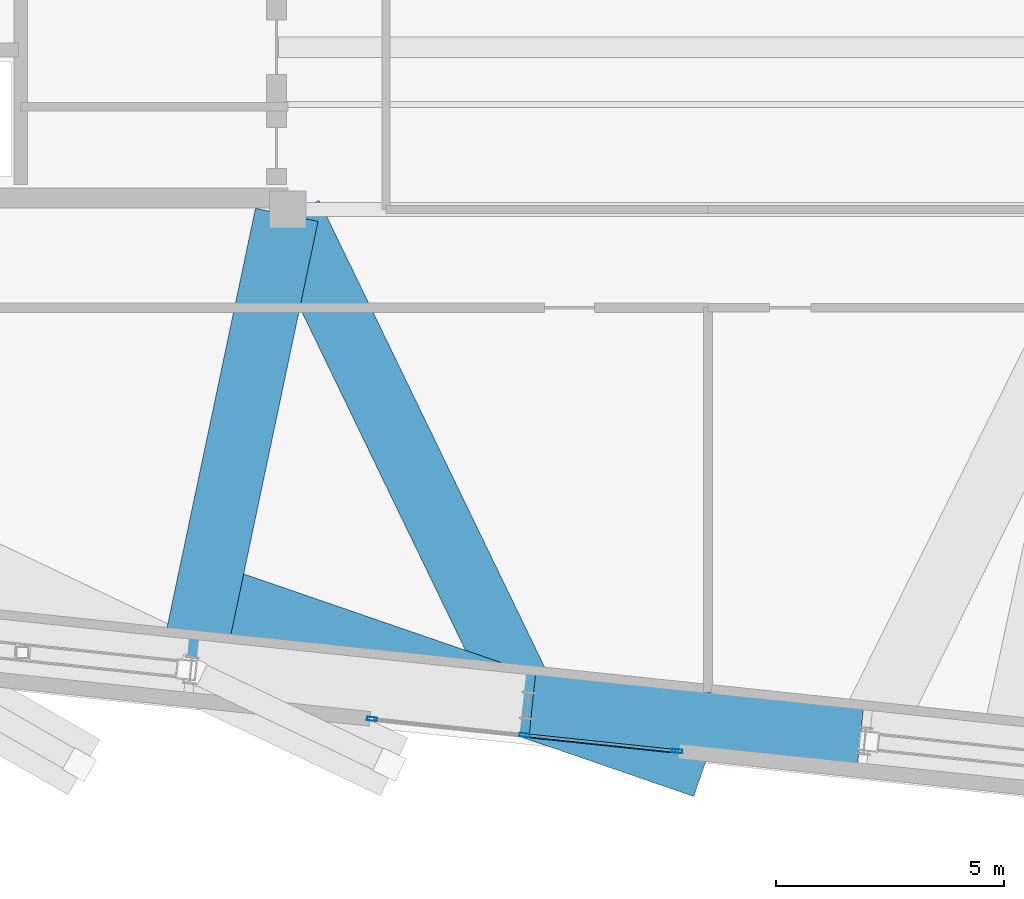
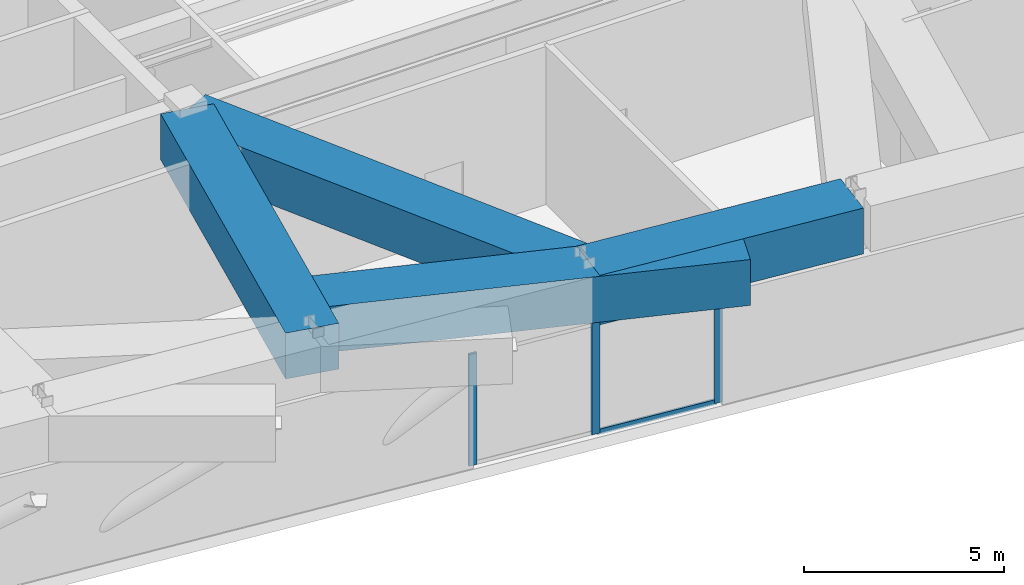
# One storey, part 5 of 21: 5 members, 4 beams, 1 element without a shape of its own.
"""IFC4 building model written with IfcOpenShell, lengths in metres."""

import ifcopenshell
import ifcopenshell.guid

model = None  # the IFC model being written
_history = None  # IfcOwnerHistory: only IFC2X3 demands one
_inside = {}  # id of a spatial element -> (the spatial element, [elements in it])
_under = {}  # id of a project, library or spatial element -> (it, [spatial elements below it])
_declared = {}  # id of a project -> (the project, [libraries it declares])
_typed = {}  # id of a type object -> (the type object, [elements of that type])
_made_of = {}  # id of a material, layer set ... -> (it, [elements and type objects made of it])


def new_model(schema):
    """Start an empty IFC model of exactly this schema.

    Asked for "IFC4X3", IfcOpenShell would pick the latest addendum, in which some entities
    have other attributes; the version numbers below select the first issue.
    IFC2X3 requires an IfcOwnerHistory on every rooted entity: one is made here for all.
    """
    global model, _history
    if schema == "IFC4X3":
        model = ifcopenshell.file(schema_version=(4, 3, 0, 0))
    else:
        model = ifcopenshell.file(schema=schema)
    _inside.clear()
    _under.clear()
    _declared.clear()
    _typed.clear()
    _made_of.clear()
    _history = None
    if model.schema == "IFC2X3":
        org = make("IfcOrganization", Name="unknown")
        user = make(
            "IfcPersonAndOrganization",
            ThePerson=make("IfcPerson", FamilyName="unknown"),
            TheOrganization=org,
        )
        app = make(
            "IfcApplication",
            ApplicationDeveloper=org,
            Version="unknown",
            ApplicationFullName="unknown",
            ApplicationIdentifier="unknown",
        )
        _history = make(
            "IfcOwnerHistory",
            OwningUser=user,
            OwningApplication=app,
            ChangeAction="ADDED",
            CreationDate=0,
        )
    return model


def make(cls, **values):
    """One entity of the class cls with the attributes given. An attribute that is None is left unset."""
    return model.create_entity(
        cls, **{name: value for name, value in values.items() if value is not None}
    )


def rooted(cls, **values):
    """An entity with a GlobalId (a new one), such as an element, a storey or a relation."""
    return make(cls, GlobalId=ifcopenshell.guid.new(), OwnerHistory=_history, **values)


def si_unit(unit_type, name, prefix=None):
    """IfcSIUnit, for example si_unit("LENGTHUNIT", "METRE", prefix="MILLI")."""
    return make("IfcSIUnit", UnitType=unit_type, Prefix=prefix, Name=name)


def assignment(units):
    """IfcUnitAssignment: the units of a project."""
    return None if units is None else make("IfcUnitAssignment", Units=units)


def point(xyz):
    """IfcCartesianPoint."""
    return None if xyz is None else make("IfcCartesianPoint", Coordinates=xyz)


def direction(xyz):
    """IfcDirection."""
    return None if xyz is None else make("IfcDirection", DirectionRatios=xyz)


def frame(location, z_axis=None, x_axis=None):
    """IfcAxis2Placement3D, a coordinate frame: its origin and axes. An axis left out is left unset."""
    return make(
        "IfcAxis2Placement3D",
        Location=point(location),
        Axis=direction(z_axis),
        RefDirection=direction(x_axis),
    )


def frame_2d(location, x_axis=None):
    """IfcAxis2Placement2D, a coordinate frame in the plane: its origin and x axis."""
    return make(
        "IfcAxis2Placement2D", Location=point(location), RefDirection=direction(x_axis)
    )


def origin():
    """The frame at (0, 0, 0) with its axes left unset."""
    return frame((0.0, 0.0, 0.0))


def origin_2d():
    """The frame at (0, 0) in the plane with its x axis left unset."""
    return frame_2d((0.0, 0.0))


def place(relative_to, where):
    """IfcLocalPlacement: puts the frame where relative to a parent placement (None: the world)."""
    return make(
        "IfcLocalPlacement", PlacementRelTo=relative_to, RelativePlacement=where
    )


def context(
    kind, dimensions, precision=None, world=None, true_north=None, identifier=None
):
    """IfcGeometricRepresentationContext, for example the 3D "Model" context."""
    return make(
        "IfcGeometricRepresentationContext",
        ContextIdentifier=identifier,
        ContextType=kind,
        CoordinateSpaceDimension=dimensions,
        Precision=precision,
        WorldCoordinateSystem=world,
        TrueNorth=true_north,
    )


def subcontext(parent, identifier, kind, view, scale=None):
    """IfcGeometricRepresentationSubContext, for example "Body" below "Model"."""
    return make(
        "IfcGeometricRepresentationSubContext",
        ContextIdentifier=identifier,
        ContextType=kind,
        ParentContext=parent,
        TargetScale=scale,
        TargetView=view,
    )


def project(units=None, contexts=None):
    """IfcProject with its units and contexts."""
    return rooted(
        "IfcProject",
        Name="project",
        RepresentationContexts=contexts,
        UnitsInContext=assignment(units),
    )


def spatial(cls, under=None, at=None, **own):
    """A site, building, storey or space (cls), placed at a placement, below another one or the project."""
    s = rooted(cls, ObjectPlacement=at, **own)
    if under is not None:
        _under.setdefault(under.id(), (under, []))[1].append(s)
    return s


def profile(cls, at=None, kind="AREA", **sizes):
    """A parametric profile (cls). Its sizes go by their IFC names, for example OverallWidth=200.0."""
    return make(cls, ProfileType=kind, Position=at, **sizes)


def rectangle(**sizes):
    """IfcRectangleProfileDef."""
    return profile("IfcRectangleProfileDef", **sizes)


def hollow_rectangle(**sizes):
    """IfcRectangleHollowProfileDef."""
    return profile("IfcRectangleHollowProfileDef", **sizes)


def extrude(swept, where, along, depth):
    """IfcExtrudedAreaSolid: the profile swept, set in the frame where, extruded along a direction by depth."""
    return make(
        "IfcExtrudedAreaSolid",
        SweptArea=swept,
        Position=where,
        ExtrudedDirection=direction(along),
        Depth=depth,
    )


def shape(context_of_items, identifier, shape_type, items):
    """IfcShapeRepresentation: the items that make up one representation, for example the "Body"."""
    return make(
        "IfcShapeRepresentation",
        ContextOfItems=context_of_items,
        RepresentationIdentifier=identifier,
        RepresentationType=shape_type,
        Items=items,
    )


def material(Name=None, Category=None):
    """IfcMaterial."""
    return make("IfcMaterial", Name=Name, Category=Category)


def layer(
    of_material, thickness, ventilated=None, Name=None, Category=None, Priority=None
):
    """IfcMaterialLayer: one layer of a wall or slab, of a material (None: an air gap)."""
    return make(
        "IfcMaterialLayer",
        Material=of_material,
        LayerThickness=thickness,
        IsVentilated=ventilated,
        Name=Name,
        Category=Category,
        Priority=Priority,
    )


def layer_set(layers, Name=None):
    """IfcMaterialLayerSet."""
    return make("IfcMaterialLayerSet", MaterialLayers=layers, LayerSetName=Name)


def material_profile(
    of_material, cross_section, Name=None, Category=None, Priority=None
):
    """IfcMaterialProfile: a cross section and its material."""
    return make(
        "IfcMaterialProfile",
        Name=Name,
        Material=of_material,
        Profile=cross_section,
        Priority=Priority,
        Category=Category,
    )


def profile_set(profiles, Name=None, composite=None):
    """IfcMaterialProfileSet."""
    return make(
        "IfcMaterialProfileSet",
        Name=Name,
        MaterialProfiles=profiles,
        CompositeProfile=composite,
    )


def made_of(thing, what):
    """Note that an element or type object is made of a material, layer set ...; save() writes the relation."""
    if what is not None:
        _made_of.setdefault(what.id(), (what, []))[1].append(thing)
    return thing


def type_object(cls, material=None, **own):
    """A type object (cls), such as IfcWallType, which elements share."""
    return made_of(rooted(cls, **own), material)


def element(
    cls,
    number,
    at=None,
    inside=None,
    cuts=None,
    type_object=None,
    material=None,
    context=None,
    identifier="Body",
    shape_type=None,
    held_by="IfcProductDefinitionShape",
    body=None,
    shapes=None,
    **own,
):
    """One element of the class cls, such as IfcWall. Its Tag is "e" and its number.

    at: its placement. inside: the storey or other place that contains it. cuts: it is an
    opening in that element (IfcRelVoidsElement). A single representation is given by context,
    identifier, shape_type and body (its items); several are given by shapes. held_by: the class
    of the entity that holds the representations. save() writes the other relations.
    """
    e = rooted(cls, Tag="e%d" % number, ObjectPlacement=at, **own)
    if body is not None:
        shapes = [shape(context, identifier, shape_type, body)]
    if shapes is not None:
        e.Representation = make(held_by, Representations=shapes)
    if inside is not None:
        _inside.setdefault(inside.id(), (inside, []))[1].append(e)
    if cuts is not None:
        rooted(
            "IfcRelVoidsElement", RelatingBuildingElement=cuts, RelatedOpeningElement=e
        )
    if type_object is not None:
        _typed.setdefault(type_object.id(), (type_object, []))[1].append(e)
    return made_of(e, material)


def aggregate(whole, parts):
    """IfcRelAggregates: a whole, such as a stair, and the parts it consists of."""
    return rooted("IfcRelAggregates", RelatingObject=whole, RelatedObjects=parts)


def save(model, path):
    """Write the relations noted so far, then the file.

    IfcRelAggregates (storeys below a building ...), IfcRelContainedInSpatialStructure (elements
    in a storey), IfcRelDefinesByType, IfcRelAssociatesMaterial and IfcRelDeclares: one each for
    every whole, place, type object, material and project.
    """
    for whole, parts in _under.values():
        aggregate(whole, parts)
    for where, things in _inside.values():
        rooted(
            "IfcRelContainedInSpatialStructure",
            RelatedElements=things,
            RelatingStructure=where,
        )
    for kind, things in _typed.values():
        rooted("IfcRelDefinesByType", RelatedObjects=things, RelatingType=kind)
    for what, things in _made_of.values():
        rooted("IfcRelAssociatesMaterial", RelatedObjects=things, RelatingMaterial=what)
    for by, libraries in _declared.values():
        rooted("IfcRelDeclares", RelatingContext=by, RelatedDefinitions=libraries)
    model.write(path)


model = new_model("IFC4")

# Units and contexts
model_context = context("Model", 3, precision=1e-05, world=origin(), true_north=direction((0.0, 1.0)))
body_context = subcontext(model_context, "Body", "Model", "MODEL_VIEW")
ifc_project = project(units=[si_unit("LENGTHUNIT", "METRE"), si_unit("AREAUNIT", "SQUARE_METRE"), si_unit("VOLUMEUNIT", "CUBIC_METRE"), si_unit("PLANEANGLEUNIT", "RADIAN"), si_unit("MASSUNIT", "GRAM", prefix="KILO")], contexts=[model_context])

# Site, building, storey
site_placement = place(None, origin())
site = spatial("IfcSite", under=ifc_project, at=site_placement, CompositionType="ELEMENT")
building_placement = place(site_placement, origin())
building = spatial("IfcBuilding", under=site, at=building_placement, Name="Qobustan Lattice House", CompositionType="ELEMENT")
storey_placement = place(building_placement, frame((0.0, 0.0, 223.199951171875)))
storey = spatial("IfcBuildingStorey", under=building, at=storey_placement, Name="L63", CompositionType="ELEMENT", Elevation=223.199951171875)

# Beams
ifc_material_1 = material(Name="Concrete C60/75", Category="concrete")
ifc_material_profile_1 = material_profile(ifc_material_1, rectangle(XDim=1.39990234375, YDim=1.39990234375, at=origin_2d()), Name="RC1400x1400")
ifc_profile_set_1 = profile_set([ifc_material_profile_1], Name="Concrete C60/75")
beam_type = type_object("IfcBeamType", Name="BM-TRG-RC1400", PredefinedType="USERDEFINED", material=ifc_profile_set_1)
beam_1_placement = place(storey_placement, frame((-3.851318359375, -16.46875, 4.1201171875), z_axis=(0.994524529937, -0.104503393985, 0.0), x_axis=(0.104503393985, 0.994524529937, 0.0)))
element("IfcBeam", 1, at=beam_1_placement, inside=storey, type_object=beam_type, Name="L63 TT4 lower perimeter transfer girder S4-S5", ObjectType="GIRDER", PredefinedType="USERDEFINED", context=body_context, shape_type="SweptSolid", body=[
    extrude(rectangle(XDim=1.39990234375, YDim=1.39990234375, at=origin_2d()), origin(), (0.0, 0.0, 1.0), 7.216552734375),
])
beam_2_placement = place(storey_placement, frame((-9.224853515625, -5.71728515625, 4.1201171875), z_axis=(-0.206372316417, -0.978473539252, 0.0), x_axis=(0.978473539252, -0.206372316417, 0.0)))
element("IfcBeam", 2, at=beam_2_placement, inside=storey, type_object=beam_type, Name="L63 TT4 radial transfer girder S3", ObjectType="GIRDER", PredefinedType="USERDEFINED", context=body_context, shape_type="SweptSolid", body=[
    extrude(rectangle(XDim=1.39990234375, YDim=1.39990234375, at=origin_2d()), origin(), (0.0, 0.0, 1.0), 10.06494140625),
])
beam_3_placement = place(storey_placement, frame((-9.147705078125, -5.7080078125, 4.1201171875), z_axis=(0.435227259954, -0.900320627439, 0.0), x_axis=(0.900320627439, 0.435227259954, 0.0)))
element("IfcBeam", 3, at=beam_3_placement, inside=storey, type_object=beam_type, Name="L63 TT4 radial transfer girder S4", ObjectType="GIRDER", PredefinedType="USERDEFINED", context=body_context, shape_type="SweptSolid", body=[
    extrude(rectangle(XDim=1.39990234375, YDim=1.39990234375, at=origin_2d()), origin(), (0.0, 0.0, 1.0), 11.8203125),
])
beam_4_placement = place(storey_placement, frame((-10.771728515625, -14.109130859375, 4.1201171875), z_axis=(0.94549986505, -0.325622488768, 0.0), x_axis=(0.325622488768, 0.94549986505, 0.0)))
element("IfcBeam", 4, at=beam_4_placement, inside=storey, type_object=beam_type, Name="L63 TT4 primary column transfer girder S4", ObjectType="GIRDER", PredefinedType="USERDEFINED", context=body_context, shape_type="SweptSolid", body=[
    extrude(rectangle(XDim=1.39990234375, YDim=1.39990234375, at=origin_2d()), origin(), (0.0, 0.0, 1.0), 11.30126953125),
])

# Curtain wall, members
ifc_material_2 = material(Name="Anodised aluminium and low-E glazing", Category="aluminium")
ifc_layer = layer(ifc_material_2, 0.219970703125)
ifc_layer_set = layer_set([ifc_layer], Name="Anodised aluminium and low-E glazing")
curtain_wall_type = type_object("IfcCurtainWallType", Name="CW-TRN-01", PredefinedType="USERDEFINED", material=ifc_layer_set)
curtain_wall_placement = place(storey_placement, origin())
curtain_wall = element("IfcCurtainWall", 5, at=curtain_wall_placement, inside=storey, type_object=curtain_wall_type, Name="L63 S transfer sky-lobby curtain wall", ObjectType="CURTAIN WALL", PredefinedType="USERDEFINED")
ifc_material_3 = material(Name="Anodised aluminium EN AW-6063 T6", Category="aluminium")
ifc_material_profile_2 = material_profile(ifc_material_3, hollow_rectangle(XDim=0.080078125, YDim=0.219970703125, WallThickness=0.0048828125, at=origin_2d()), Name="CWM-220x80")
ifc_profile_set_2 = profile_set([ifc_material_profile_2], Name="Anodised aluminium EN AW-6063 T6")
member_type_1 = type_object("IfcMemberType", Name="CWM-MAIN-220", PredefinedType="MULLION", material=ifc_profile_set_2)
member_1_placement = place(storey_placement, frame((-0.67724609375, -17.455810546875, 0.0), z_axis=(0.0, 0.0, 1.0), x_axis=(-0.104528620025, -0.994521878892, 0.0)))
member_1 = element("IfcMember", 6, at=member_1_placement, type_object=member_type_1, Name="CW-TR mullion 1", PredefinedType="MULLION", context=body_context, shape_type="SweptSolid", body=[
    extrude(hollow_rectangle(XDim=0.080078125, YDim=0.219970703125, WallThickness=0.0048828125, at=origin_2d()), origin(), (0.0, 0.0, 1.0), 3.405029296875),
])
member_2_placement = place(storey_placement, frame((-4.018798828125, -17.104736328125, 0.0), z_axis=(0.0, 0.0, 1.0), x_axis=(-0.104528620025, -0.994521878892, 0.0)))
member_2 = element("IfcMember", 7, at=member_2_placement, type_object=member_type_1, Name="CW-TR mullion 2", PredefinedType="MULLION", context=body_context, shape_type="SweptSolid", body=[
    extrude(hollow_rectangle(XDim=0.080078125, YDim=0.219970703125, WallThickness=0.0048828125, at=origin_2d()), origin(), (0.0, 0.0, 1.0), 3.405029296875),
])
member_3_placement = place(storey_placement, frame((-7.3603515625, -16.75341796875, 0.0), z_axis=(0.0, 0.0, 1.0), x_axis=(-0.104528620025, -0.994521878892, 0.0)))
member_3 = element("IfcMember", 8, at=member_3_placement, type_object=member_type_1, Name="CW-TR mullion 3", PredefinedType="MULLION", context=body_context, shape_type="SweptSolid", body=[
    extrude(hollow_rectangle(XDim=0.080078125, YDim=0.219970703125, WallThickness=0.0048828125, at=origin_2d()), origin(), (0.0, 0.0, 1.0), 3.405029296875),
])
ifc_material_4 = material(Name="Anodised aluminium EN AW-6063 T6", Category="aluminium")
ifc_material_profile_3 = material_profile(ifc_material_4, hollow_rectangle(XDim=0.06494140625, YDim=0.159912109375, WallThickness=0.00390625, at=origin_2d()), Name="CWT-160x65")
ifc_profile_set_3 = profile_set([ifc_material_profile_3], Name="Anodised aluminium EN AW-6063 T6")
member_type_2 = type_object("IfcMemberType", Name="CWT-HOR-160", PredefinedType="USERDEFINED", material=ifc_profile_set_3)
member_4_placement = place(storey_placement, frame((-0.717041015625, -17.45166015625, 0.032470703125), z_axis=(-0.994524198614, 0.104506547029, 0.0), x_axis=(-0.104506547029, -0.994524198614, 0.0)))
member_4 = element("IfcMember", 9, at=member_4_placement, type_object=member_type_2, Name="CW-TR transom 1.1", ObjectType="TRANSOM", PredefinedType="USERDEFINED", context=body_context, shape_type="SweptSolid", body=[
    extrude(hollow_rectangle(XDim=0.06494140625, YDim=0.159912109375, WallThickness=0.00390625, at=origin_2d()), origin(), (0.0, 0.0, 1.0), 3.280029296875),
])
member_5_placement = place(storey_placement, frame((-0.717041015625, -17.45166015625, 3.37255859375), z_axis=(-0.994524198614, 0.104506547029, 0.0), x_axis=(-0.104506547029, -0.994524198614, 0.0)))
member_5 = element("IfcMember", 10, at=member_5_placement, type_object=member_type_2, Name="CW-TR transom 1.2", ObjectType="TRANSOM", PredefinedType="USERDEFINED", context=body_context, shape_type="SweptSolid", body=[
    extrude(hollow_rectangle(XDim=0.06494140625, YDim=0.159912109375, WallThickness=0.00390625, at=origin_2d()), origin(), (0.0, 0.0, 1.0), 3.280029296875),
])
aggregate(curtain_wall, [member_1, member_2, member_3, member_4, member_5])

save(model, "model.ifc")
